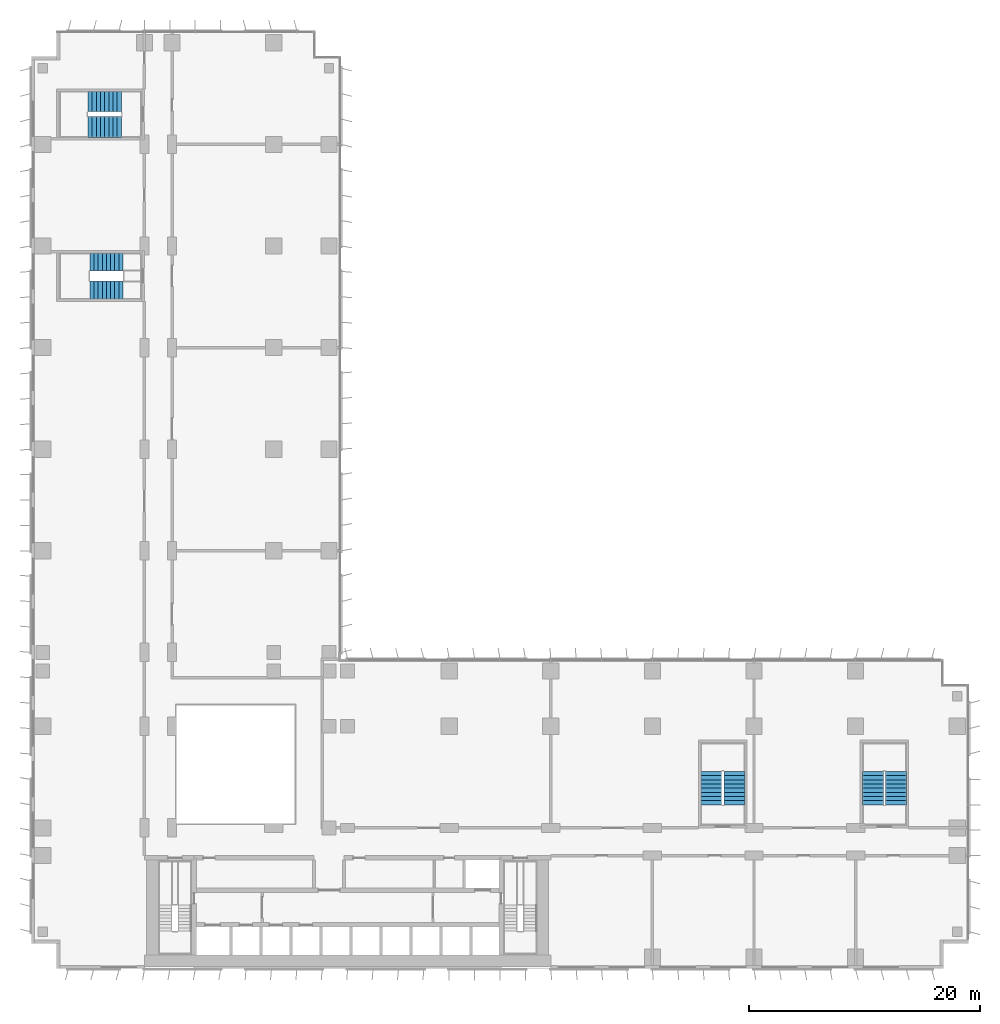
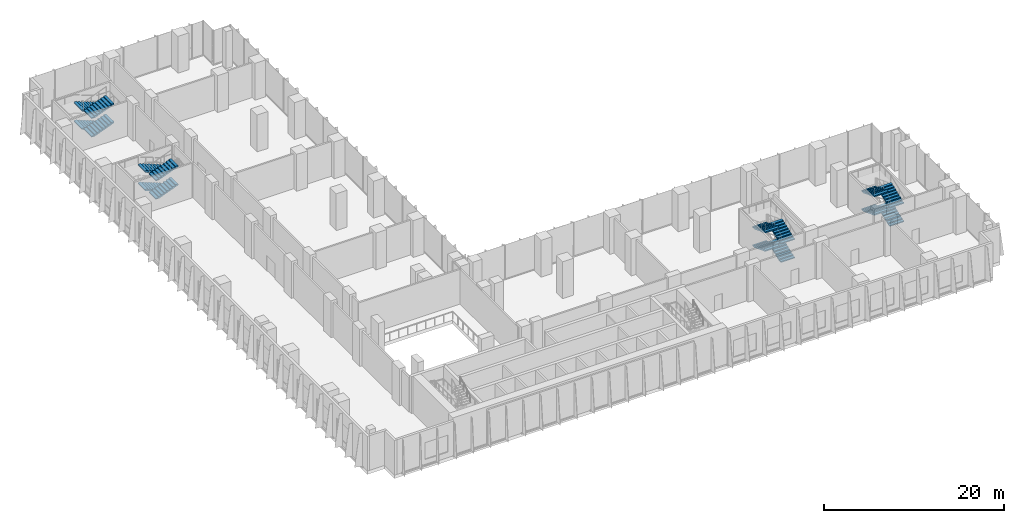
# One storey, part 17 of 23: 16 stair flights, 4 elements without a shape of their own.
"""IFC4 building model written with IfcOpenShell, lengths in metres."""

from ifc_helpers import new_model, si_unit, direction, frame, origin, place, context, subcontext, project, spatial, polyline, outline, extrude, material, type_object, element, aggregate, save


model = new_model("IFC4")

# Units and contexts
model_context = context("Model", 3, precision=1e-05, world=origin(), true_north=direction((0.0, 1.0)))
body_context = subcontext(model_context, "Body", "Model", "MODEL_VIEW")
ifc_project = project(units=[si_unit("LENGTHUNIT", "METRE"), si_unit("AREAUNIT", "SQUARE_METRE"), si_unit("VOLUMEUNIT", "CUBIC_METRE"), si_unit("PLANEANGLEUNIT", "RADIAN"), si_unit("MASSUNIT", "GRAM", prefix="KILO")], contexts=[model_context])

# Site, building, storey
site_placement = place(None, origin())
site = spatial("IfcSite", under=ifc_project, at=site_placement, CompositionType="ELEMENT")
building_placement = place(site_placement, origin())
building = spatial("IfcBuilding", under=site, at=building_placement, Name="Kemantara Hotel Tower", CompositionType="ELEMENT")
storey_placement = place(building_placement, frame((0.0, 0.0, 71.0)))
storey = spatial("IfcBuildingStorey", under=building, at=storey_placement, Name="L16", CompositionType="ELEMENT", Elevation=71.0)

# Stair, stair flights
ifc_material = material(Name="Concrete fc 40 MPa", Category="concrete")
stair_type_1 = type_object("IfcStairType", Name="Stair 1550 wide 36 risers of 139 x 360 mm", PredefinedType="HALF_TURN_STAIR", material=ifc_material)
stair_1_placement = place(storey_placement, origin())
stair_1 = element("IfcStair", 1, at=stair_1_placement, inside=storey, type_object=stair_type_1, Name="L16 Exit stair ST4", PredefinedType="HALF_TURN_STAIR")
stair_flight_type_1 = type_object("IfcStairFlightType", Name="Stair flight 1550 wide 139 x 360 mm", PredefinedType="STRAIGHT", material=ifc_material)
stair_flight_1_placement = place(storey_placement, frame((7.949951171875, 61.22509765625, 0.0), z_axis=(0.0, 0.0, 1.0), x_axis=(-1.0, 0.0, 0.0)))
stair_flight_1 = element("IfcStairFlight", 2, at=stair_flight_1_placement, type_object=stair_flight_type_1, Name="ST4 flight 1", NumberOfRisers=9, NumberOfTreads=8, PredefinedType="STRAIGHT", RiserHeight=0.138888889, TreadLength=0.36, context=body_context, shape_type="SweptSolid", body=[
    extrude(outline(polyline([(0.0, 0.0), (0.0, 0.138916015625), (0.360107421875, 0.138916015625), (0.360107421875, 0.27783203125), (0.719970703125, 0.27783203125), (0.719970703125, 0.416748046875), (1.080078125, 0.416748046875), (1.080078125, 0.5556640625), (1.43994140625, 0.5556640625), (1.43994140625, 0.6943359375), (1.800048828125, 0.6943359375), (1.800048828125, 0.833251953125), (2.159912109375, 0.833251953125), (2.159912109375, 0.97216796875), (2.52001953125, 0.97216796875), (2.52001953125, 1.111083984375), (2.8798828125, 1.111083984375), (2.8798828125, 1.25), (2.8798828125, 0.950439453125), (0.41650390625, 0.0), (0.0, 0.0)])), frame((0.0, 0.77490234375, 0.0), z_axis=(0.0, -1.0, 0.0), x_axis=(1.0, 0.0, 0.0)), (0.0, 0.0, 1.0), 1.550048828125),
])
stair_flight_2_placement = place(storey_placement, frame((5.070068359375, 58.77490234375, 1.25), z_axis=(0.0, 0.0, 1.0), x_axis=(1.0, 0.0, 0.0)))
stair_flight_2 = element("IfcStairFlight", 3, at=stair_flight_2_placement, type_object=stair_flight_type_1, Name="ST4 flight 2", NumberOfRisers=9, NumberOfTreads=8, PredefinedType="STRAIGHT", RiserHeight=0.138888889, TreadLength=0.36, context=body_context, shape_type="SweptSolid", body=[
    extrude(outline(polyline([(0.0, 0.0), (0.0, 0.138916015625), (0.360107421875, 0.138916015625), (0.360107421875, 0.27783203125), (0.719970703125, 0.27783203125), (0.719970703125, 0.416748046875), (1.080078125, 0.416748046875), (1.080078125, 0.5556640625), (1.43994140625, 0.5556640625), (1.43994140625, 0.6943359375), (1.800048828125, 0.6943359375), (1.800048828125, 0.833251953125), (2.159912109375, 0.833251953125), (2.159912109375, 0.97216796875), (2.52001953125, 0.97216796875), (2.52001953125, 1.111083984375), (2.8798828125, 1.111083984375), (2.8798828125, 1.25), (2.8798828125, 0.950439453125), (0.41650390625, 0.0), (0.0, 0.0)])), frame((0.0, 0.77490234375, 0.0), z_axis=(0.0, -1.0, 0.0), x_axis=(1.0, 0.0, 0.0)), (0.0, 0.0, 1.0), 1.550048828125),
])
stair_flight_3_placement = place(storey_placement, frame((7.949951171875, 61.22509765625, 2.5), z_axis=(0.0, 0.0, 1.0), x_axis=(-1.0, 0.0, 0.0)))
stair_flight_3 = element("IfcStairFlight", 4, at=stair_flight_3_placement, type_object=stair_flight_type_1, Name="ST4 flight 3", NumberOfRisers=9, NumberOfTreads=8, PredefinedType="STRAIGHT", RiserHeight=0.138888889, TreadLength=0.36, context=body_context, shape_type="SweptSolid", body=[
    extrude(outline(polyline([(0.0, 0.0), (0.0, 0.138916015625), (0.360107421875, 0.138916015625), (0.360107421875, 0.27783203125), (0.719970703125, 0.27783203125), (0.719970703125, 0.416748046875), (1.080078125, 0.416748046875), (1.080078125, 0.5556640625), (1.43994140625, 0.5556640625), (1.43994140625, 0.6943359375), (1.800048828125, 0.6943359375), (1.800048828125, 0.833251953125), (2.159912109375, 0.833251953125), (2.159912109375, 0.97216796875), (2.52001953125, 0.97216796875), (2.52001953125, 1.111083984375), (2.8798828125, 1.111083984375), (2.8798828125, 1.25), (2.8798828125, 0.950439453125), (0.41650390625, 0.0), (0.0, 0.0)])), frame((0.0, 0.77490234375, 0.0), z_axis=(0.0, -1.0, 0.0), x_axis=(1.0, 0.0, 0.0)), (0.0, 0.0, 1.0), 1.550048828125),
])
stair_flight_4_placement = place(storey_placement, frame((5.070068359375, 58.77490234375, 3.75), z_axis=(0.0, 0.0, 1.0), x_axis=(1.0, 0.0, 0.0)))
stair_flight_4 = element("IfcStairFlight", 5, at=stair_flight_4_placement, type_object=stair_flight_type_1, Name="ST4 flight 4", NumberOfRisers=9, NumberOfTreads=8, PredefinedType="STRAIGHT", RiserHeight=0.138888889, TreadLength=0.36, context=body_context, shape_type="SweptSolid", body=[
    extrude(outline(polyline([(0.0, 0.0), (0.0, 0.138916015625), (0.360107421875, 0.138916015625), (0.360107421875, 0.27783203125), (0.719970703125, 0.27783203125), (0.719970703125, 0.416748046875), (1.080078125, 0.416748046875), (1.080078125, 0.5556640625), (1.43994140625, 0.5556640625), (1.43994140625, 0.6943359375), (1.800048828125, 0.6943359375), (1.800048828125, 0.833251953125), (2.159912109375, 0.833251953125), (2.159912109375, 0.97216796875), (2.52001953125, 0.97216796875), (2.52001953125, 1.111083984375), (2.8798828125, 1.111083984375), (2.8798828125, 1.25), (2.8798828125, 0.950439453125), (0.41650390625, 0.0), (0.0, 0.0)])), frame((0.0, 0.77490234375, 0.0), z_axis=(0.0, -1.0, 0.0), x_axis=(1.0, 0.0, 0.0)), (0.0, 0.0, 1.0), 1.550048828125),
])
aggregate(stair_1, [stair_flight_1, stair_flight_2, stair_flight_3, stair_flight_4])

stair_type_2 = type_object("IfcStairType", Name="Stair 1800 wide 36 risers of 139 x 360 mm", PredefinedType="HALF_TURN_STAIR", material=ifc_material)
stair_2_placement = place(storey_placement, origin())
stair_2 = element("IfcStair", 6, at=stair_2_placement, inside=storey, type_object=stair_type_2, Name="L16 Exit stair ST3", PredefinedType="HALF_TURN_STAIR")
stair_flight_type_2 = type_object("IfcStairFlightType", Name="Stair flight 1800 wide 139 x 360 mm", PredefinedType="STRAIGHT", material=ifc_material)
stair_flight_5_placement = place(storey_placement, frame((60.89990234375, 14.199951171875, 0.0), z_axis=(0.0, 0.0, 1.0), x_axis=(0.0, 1.0, 0.0)))
stair_flight_5 = element("IfcStairFlight", 7, at=stair_flight_5_placement, type_object=stair_flight_type_2, Name="ST3 flight 1", NumberOfRisers=9, NumberOfTreads=8, PredefinedType="STRAIGHT", RiserHeight=0.138888889, TreadLength=0.36, context=body_context, shape_type="SweptSolid", body=[
    extrude(outline(polyline([(0.0, 0.0), (0.0, 0.138916015625), (0.360107421875, 0.138916015625), (0.360107421875, 0.27783203125), (0.719970703125, 0.27783203125), (0.719970703125, 0.416748046875), (1.080078125, 0.416748046875), (1.080078125, 0.5556640625), (1.43994140625, 0.5556640625), (1.43994140625, 0.6943359375), (1.800048828125, 0.6943359375), (1.800048828125, 0.833251953125), (2.159912109375, 0.833251953125), (2.159912109375, 0.97216796875), (2.52001953125, 0.97216796875), (2.52001953125, 1.111083984375), (2.8798828125, 1.111083984375), (2.8798828125, 1.25), (2.8798828125, 0.950439453125), (0.41650390625, 0.0), (0.0, 0.0)])), frame((0.0, 0.89990234375, 0.0), z_axis=(0.0, -1.0, 0.0), x_axis=(1.0, 0.0, 0.0)), (0.0, 0.0, 1.0), 1.800048828125),
])
stair_flight_6_placement = place(storey_placement, frame((58.89990234375, 17.080078125, 1.25), z_axis=(0.0, 0.0, 1.0), x_axis=(0.0, -1.0, 0.0)))
stair_flight_6 = element("IfcStairFlight", 8, at=stair_flight_6_placement, type_object=stair_flight_type_2, Name="ST3 flight 2", NumberOfRisers=9, NumberOfTreads=8, PredefinedType="STRAIGHT", RiserHeight=0.138888889, TreadLength=0.36, context=body_context, shape_type="SweptSolid", body=[
    extrude(outline(polyline([(0.0, 0.0), (0.0, 0.138916015625), (0.360107421875, 0.138916015625), (0.360107421875, 0.27783203125), (0.719970703125, 0.27783203125), (0.719970703125, 0.416748046875), (1.080078125, 0.416748046875), (1.080078125, 0.5556640625), (1.43994140625, 0.5556640625), (1.43994140625, 0.6943359375), (1.800048828125, 0.6943359375), (1.800048828125, 0.833251953125), (2.159912109375, 0.833251953125), (2.159912109375, 0.97216796875), (2.52001953125, 0.97216796875), (2.52001953125, 1.111083984375), (2.8798828125, 1.111083984375), (2.8798828125, 1.25), (2.8798828125, 0.950439453125), (0.41650390625, 0.0), (0.0, 0.0)])), frame((0.0, 0.89990234375, 0.0), z_axis=(0.0, -1.0, 0.0), x_axis=(1.0, 0.0, 0.0)), (0.0, 0.0, 1.0), 1.800048828125),
])
stair_flight_7_placement = place(storey_placement, frame((60.89990234375, 14.199951171875, 2.5), z_axis=(0.0, 0.0, 1.0), x_axis=(0.0, 1.0, 0.0)))
stair_flight_7 = element("IfcStairFlight", 9, at=stair_flight_7_placement, type_object=stair_flight_type_2, Name="ST3 flight 3", NumberOfRisers=9, NumberOfTreads=8, PredefinedType="STRAIGHT", RiserHeight=0.138888889, TreadLength=0.36, context=body_context, shape_type="SweptSolid", body=[
    extrude(outline(polyline([(0.0, 0.0), (0.0, 0.138916015625), (0.360107421875, 0.138916015625), (0.360107421875, 0.27783203125), (0.719970703125, 0.27783203125), (0.719970703125, 0.416748046875), (1.080078125, 0.416748046875), (1.080078125, 0.5556640625), (1.43994140625, 0.5556640625), (1.43994140625, 0.6943359375), (1.800048828125, 0.6943359375), (1.800048828125, 0.833251953125), (2.159912109375, 0.833251953125), (2.159912109375, 0.97216796875), (2.52001953125, 0.97216796875), (2.52001953125, 1.111083984375), (2.8798828125, 1.111083984375), (2.8798828125, 1.25), (2.8798828125, 0.950439453125), (0.41650390625, 0.0), (0.0, 0.0)])), frame((0.0, 0.89990234375, 0.0), z_axis=(0.0, -1.0, 0.0), x_axis=(1.0, 0.0, 0.0)), (0.0, 0.0, 1.0), 1.800048828125),
])
stair_flight_8_placement = place(storey_placement, frame((58.89990234375, 17.080078125, 3.75), z_axis=(0.0, 0.0, 1.0), x_axis=(0.0, -1.0, 0.0)))
stair_flight_8 = element("IfcStairFlight", 10, at=stair_flight_8_placement, type_object=stair_flight_type_2, Name="ST3 flight 4", NumberOfRisers=9, NumberOfTreads=8, PredefinedType="STRAIGHT", RiserHeight=0.138888889, TreadLength=0.36, context=body_context, shape_type="SweptSolid", body=[
    extrude(outline(polyline([(0.0, 0.0), (0.0, 0.138916015625), (0.360107421875, 0.138916015625), (0.360107421875, 0.27783203125), (0.719970703125, 0.27783203125), (0.719970703125, 0.416748046875), (1.080078125, 0.416748046875), (1.080078125, 0.5556640625), (1.43994140625, 0.5556640625), (1.43994140625, 0.6943359375), (1.800048828125, 0.6943359375), (1.800048828125, 0.833251953125), (2.159912109375, 0.833251953125), (2.159912109375, 0.97216796875), (2.52001953125, 0.97216796875), (2.52001953125, 1.111083984375), (2.8798828125, 1.111083984375), (2.8798828125, 1.25), (2.8798828125, 0.950439453125), (0.41650390625, 0.0), (0.0, 0.0)])), frame((0.0, 0.89990234375, 0.0), z_axis=(0.0, -1.0, 0.0), x_axis=(1.0, 0.0, 0.0)), (0.0, 0.0, 1.0), 1.800048828125),
])
aggregate(stair_2, [stair_flight_5, stair_flight_6, stair_flight_7, stair_flight_8])

stair_3_placement = place(storey_placement, origin())
stair_3 = element("IfcStair", 11, at=stair_3_placement, inside=storey, type_object=stair_type_2, Name="L16 Exit stair ST5", PredefinedType="HALF_TURN_STAIR")
stair_flight_9_placement = place(storey_placement, frame((74.89990234375, 14.199951171875, 0.0), z_axis=(0.0, 0.0, 1.0), x_axis=(0.0, 1.0, 0.0)))
stair_flight_9 = element("IfcStairFlight", 12, at=stair_flight_9_placement, type_object=stair_flight_type_2, Name="ST5 flight 1", NumberOfRisers=9, NumberOfTreads=8, PredefinedType="STRAIGHT", RiserHeight=0.138888889, TreadLength=0.36, context=body_context, shape_type="SweptSolid", body=[
    extrude(outline(polyline([(0.0, 0.0), (0.0, 0.138916015625), (0.360107421875, 0.138916015625), (0.360107421875, 0.27783203125), (0.719970703125, 0.27783203125), (0.719970703125, 0.416748046875), (1.080078125, 0.416748046875), (1.080078125, 0.5556640625), (1.43994140625, 0.5556640625), (1.43994140625, 0.6943359375), (1.800048828125, 0.6943359375), (1.800048828125, 0.833251953125), (2.159912109375, 0.833251953125), (2.159912109375, 0.97216796875), (2.52001953125, 0.97216796875), (2.52001953125, 1.111083984375), (2.8798828125, 1.111083984375), (2.8798828125, 1.25), (2.8798828125, 0.950439453125), (0.41650390625, 0.0), (0.0, 0.0)])), frame((0.0, 0.89990234375, 0.0), z_axis=(0.0, -1.0, 0.0), x_axis=(1.0, 0.0, 0.0)), (0.0, 0.0, 1.0), 1.800048828125),
])
stair_flight_10_placement = place(storey_placement, frame((72.89990234375, 17.080078125, 1.25), z_axis=(0.0, 0.0, 1.0), x_axis=(0.0, -1.0, 0.0)))
stair_flight_10 = element("IfcStairFlight", 13, at=stair_flight_10_placement, type_object=stair_flight_type_2, Name="ST5 flight 2", NumberOfRisers=9, NumberOfTreads=8, PredefinedType="STRAIGHT", RiserHeight=0.138888889, TreadLength=0.36, context=body_context, shape_type="SweptSolid", body=[
    extrude(outline(polyline([(0.0, 0.0), (0.0, 0.138916015625), (0.360107421875, 0.138916015625), (0.360107421875, 0.27783203125), (0.719970703125, 0.27783203125), (0.719970703125, 0.416748046875), (1.080078125, 0.416748046875), (1.080078125, 0.5556640625), (1.43994140625, 0.5556640625), (1.43994140625, 0.6943359375), (1.800048828125, 0.6943359375), (1.800048828125, 0.833251953125), (2.159912109375, 0.833251953125), (2.159912109375, 0.97216796875), (2.52001953125, 0.97216796875), (2.52001953125, 1.111083984375), (2.8798828125, 1.111083984375), (2.8798828125, 1.25), (2.8798828125, 0.950439453125), (0.41650390625, 0.0), (0.0, 0.0)])), frame((0.0, 0.89990234375, 0.0), z_axis=(0.0, -1.0, 0.0), x_axis=(1.0, 0.0, 0.0)), (0.0, 0.0, 1.0), 1.800048828125),
])
stair_flight_11_placement = place(storey_placement, frame((74.89990234375, 14.199951171875, 2.5), z_axis=(0.0, 0.0, 1.0), x_axis=(0.0, 1.0, 0.0)))
stair_flight_11 = element("IfcStairFlight", 14, at=stair_flight_11_placement, type_object=stair_flight_type_2, Name="ST5 flight 3", NumberOfRisers=9, NumberOfTreads=8, PredefinedType="STRAIGHT", RiserHeight=0.138888889, TreadLength=0.36, context=body_context, shape_type="SweptSolid", body=[
    extrude(outline(polyline([(0.0, 0.0), (0.0, 0.138916015625), (0.360107421875, 0.138916015625), (0.360107421875, 0.27783203125), (0.719970703125, 0.27783203125), (0.719970703125, 0.416748046875), (1.080078125, 0.416748046875), (1.080078125, 0.5556640625), (1.43994140625, 0.5556640625), (1.43994140625, 0.6943359375), (1.800048828125, 0.6943359375), (1.800048828125, 0.833251953125), (2.159912109375, 0.833251953125), (2.159912109375, 0.97216796875), (2.52001953125, 0.97216796875), (2.52001953125, 1.111083984375), (2.8798828125, 1.111083984375), (2.8798828125, 1.25), (2.8798828125, 0.950439453125), (0.41650390625, 0.0), (0.0, 0.0)])), frame((0.0, 0.89990234375, 0.0), z_axis=(0.0, -1.0, 0.0), x_axis=(1.0, 0.0, 0.0)), (0.0, 0.0, 1.0), 1.800048828125),
])
stair_flight_12_placement = place(storey_placement, frame((72.89990234375, 17.080078125, 3.75), z_axis=(0.0, 0.0, 1.0), x_axis=(0.0, -1.0, 0.0)))
stair_flight_12 = element("IfcStairFlight", 15, at=stair_flight_12_placement, type_object=stair_flight_type_2, Name="ST5 flight 4", NumberOfRisers=9, NumberOfTreads=8, PredefinedType="STRAIGHT", RiserHeight=0.138888889, TreadLength=0.36, context=body_context, shape_type="SweptSolid", body=[
    extrude(outline(polyline([(0.0, 0.0), (0.0, 0.138916015625), (0.360107421875, 0.138916015625), (0.360107421875, 0.27783203125), (0.719970703125, 0.27783203125), (0.719970703125, 0.416748046875), (1.080078125, 0.416748046875), (1.080078125, 0.5556640625), (1.43994140625, 0.5556640625), (1.43994140625, 0.6943359375), (1.800048828125, 0.6943359375), (1.800048828125, 0.833251953125), (2.159912109375, 0.833251953125), (2.159912109375, 0.97216796875), (2.52001953125, 0.97216796875), (2.52001953125, 1.111083984375), (2.8798828125, 1.111083984375), (2.8798828125, 1.25), (2.8798828125, 0.950439453125), (0.41650390625, 0.0), (0.0, 0.0)])), frame((0.0, 0.89990234375, 0.0), z_axis=(0.0, -1.0, 0.0), x_axis=(1.0, 0.0, 0.0)), (0.0, 0.0, 1.0), 1.800048828125),
])
aggregate(stair_3, [stair_flight_9, stair_flight_10, stair_flight_11, stair_flight_12])

stair_4_placement = place(storey_placement, origin())
stair_4 = element("IfcStair", 16, at=stair_4_placement, inside=storey, type_object=stair_type_2, Name="L16 Exit stair ST6", PredefinedType="HALF_TURN_STAIR")
stair_flight_13_placement = place(storey_placement, frame((7.800048828125, 75.10009765625, 0.0), z_axis=(0.0, 0.0, 1.0), x_axis=(-1.0, 0.0, 0.0)))
stair_flight_13 = element("IfcStairFlight", 17, at=stair_flight_13_placement, type_object=stair_flight_type_2, Name="ST6 flight 1", NumberOfRisers=9, NumberOfTreads=8, PredefinedType="STRAIGHT", RiserHeight=0.138888889, TreadLength=0.36, context=body_context, shape_type="SweptSolid", body=[
    extrude(outline(polyline([(0.0, 0.0), (0.0, 0.138916015625), (0.360107421875, 0.138916015625), (0.360107421875, 0.27783203125), (0.719970703125, 0.27783203125), (0.719970703125, 0.416748046875), (1.080078125, 0.416748046875), (1.080078125, 0.5556640625), (1.43994140625, 0.5556640625), (1.43994140625, 0.6943359375), (1.800048828125, 0.6943359375), (1.800048828125, 0.833251953125), (2.159912109375, 0.833251953125), (2.159912109375, 0.97216796875), (2.52001953125, 0.97216796875), (2.52001953125, 1.111083984375), (2.8798828125, 1.111083984375), (2.8798828125, 1.25), (2.8798828125, 0.950439453125), (0.41650390625, 0.0), (0.0, 0.0)])), frame((0.0, 0.89990234375, 0.0), z_axis=(0.0, -1.0, 0.0), x_axis=(1.0, 0.0, 0.0)), (0.0, 0.0, 1.0), 1.800048828125),
])
stair_flight_14_placement = place(storey_placement, frame((4.919921875, 72.89990234375, 1.25), z_axis=(0.0, 0.0, 1.0), x_axis=(1.0, 0.0, 0.0)))
stair_flight_14 = element("IfcStairFlight", 18, at=stair_flight_14_placement, type_object=stair_flight_type_2, Name="ST6 flight 2", NumberOfRisers=9, NumberOfTreads=8, PredefinedType="STRAIGHT", RiserHeight=0.138888889, TreadLength=0.36, context=body_context, shape_type="SweptSolid", body=[
    extrude(outline(polyline([(0.0, 0.0), (0.0, 0.138916015625), (0.360107421875, 0.138916015625), (0.360107421875, 0.27783203125), (0.719970703125, 0.27783203125), (0.719970703125, 0.416748046875), (1.080078125, 0.416748046875), (1.080078125, 0.5556640625), (1.43994140625, 0.5556640625), (1.43994140625, 0.6943359375), (1.800048828125, 0.6943359375), (1.800048828125, 0.833251953125), (2.159912109375, 0.833251953125), (2.159912109375, 0.97216796875), (2.52001953125, 0.97216796875), (2.52001953125, 1.111083984375), (2.8798828125, 1.111083984375), (2.8798828125, 1.25), (2.8798828125, 0.950439453125), (0.41650390625, 0.0), (0.0, 0.0)])), frame((0.0, 0.89990234375, 0.0), z_axis=(0.0, -1.0, 0.0), x_axis=(1.0, 0.0, 0.0)), (0.0, 0.0, 1.0), 1.800048828125),
])
stair_flight_15_placement = place(storey_placement, frame((7.800048828125, 75.10009765625, 2.5), z_axis=(0.0, 0.0, 1.0), x_axis=(-1.0, 0.0, 0.0)))
stair_flight_15 = element("IfcStairFlight", 19, at=stair_flight_15_placement, type_object=stair_flight_type_2, Name="ST6 flight 3", NumberOfRisers=9, NumberOfTreads=8, PredefinedType="STRAIGHT", RiserHeight=0.138888889, TreadLength=0.36, context=body_context, shape_type="SweptSolid", body=[
    extrude(outline(polyline([(0.0, 0.0), (0.0, 0.138916015625), (0.360107421875, 0.138916015625), (0.360107421875, 0.27783203125), (0.719970703125, 0.27783203125), (0.719970703125, 0.416748046875), (1.080078125, 0.416748046875), (1.080078125, 0.5556640625), (1.43994140625, 0.5556640625), (1.43994140625, 0.6943359375), (1.800048828125, 0.6943359375), (1.800048828125, 0.833251953125), (2.159912109375, 0.833251953125), (2.159912109375, 0.97216796875), (2.52001953125, 0.97216796875), (2.52001953125, 1.111083984375), (2.8798828125, 1.111083984375), (2.8798828125, 1.25), (2.8798828125, 0.950439453125), (0.41650390625, 0.0), (0.0, 0.0)])), frame((0.0, 0.89990234375, 0.0), z_axis=(0.0, -1.0, 0.0), x_axis=(1.0, 0.0, 0.0)), (0.0, 0.0, 1.0), 1.800048828125),
])
stair_flight_16_placement = place(storey_placement, frame((4.919921875, 72.89990234375, 3.75), z_axis=(0.0, 0.0, 1.0), x_axis=(1.0, 0.0, 0.0)))
stair_flight_16 = element("IfcStairFlight", 20, at=stair_flight_16_placement, type_object=stair_flight_type_2, Name="ST6 flight 4", NumberOfRisers=9, NumberOfTreads=8, PredefinedType="STRAIGHT", RiserHeight=0.138888889, TreadLength=0.36, context=body_context, shape_type="SweptSolid", body=[
    extrude(outline(polyline([(0.0, 0.0), (0.0, 0.138916015625), (0.360107421875, 0.138916015625), (0.360107421875, 0.27783203125), (0.719970703125, 0.27783203125), (0.719970703125, 0.416748046875), (1.080078125, 0.416748046875), (1.080078125, 0.5556640625), (1.43994140625, 0.5556640625), (1.43994140625, 0.6943359375), (1.800048828125, 0.6943359375), (1.800048828125, 0.833251953125), (2.159912109375, 0.833251953125), (2.159912109375, 0.97216796875), (2.52001953125, 0.97216796875), (2.52001953125, 1.111083984375), (2.8798828125, 1.111083984375), (2.8798828125, 1.25), (2.8798828125, 0.950439453125), (0.41650390625, 0.0), (0.0, 0.0)])), frame((0.0, 0.89990234375, 0.0), z_axis=(0.0, -1.0, 0.0), x_axis=(1.0, 0.0, 0.0)), (0.0, 0.0, 1.0), 1.800048828125),
])
aggregate(stair_4, [stair_flight_13, stair_flight_14, stair_flight_15, stair_flight_16])

save(model, "model.ifc")
